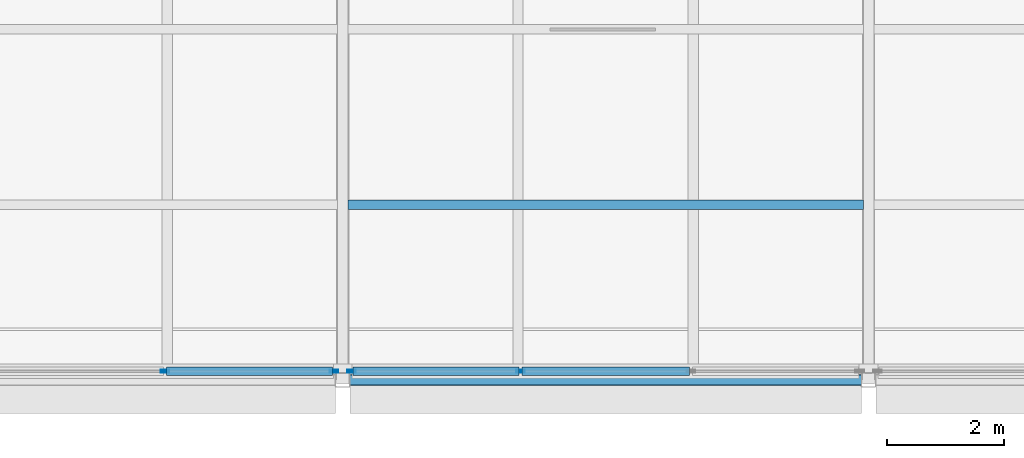
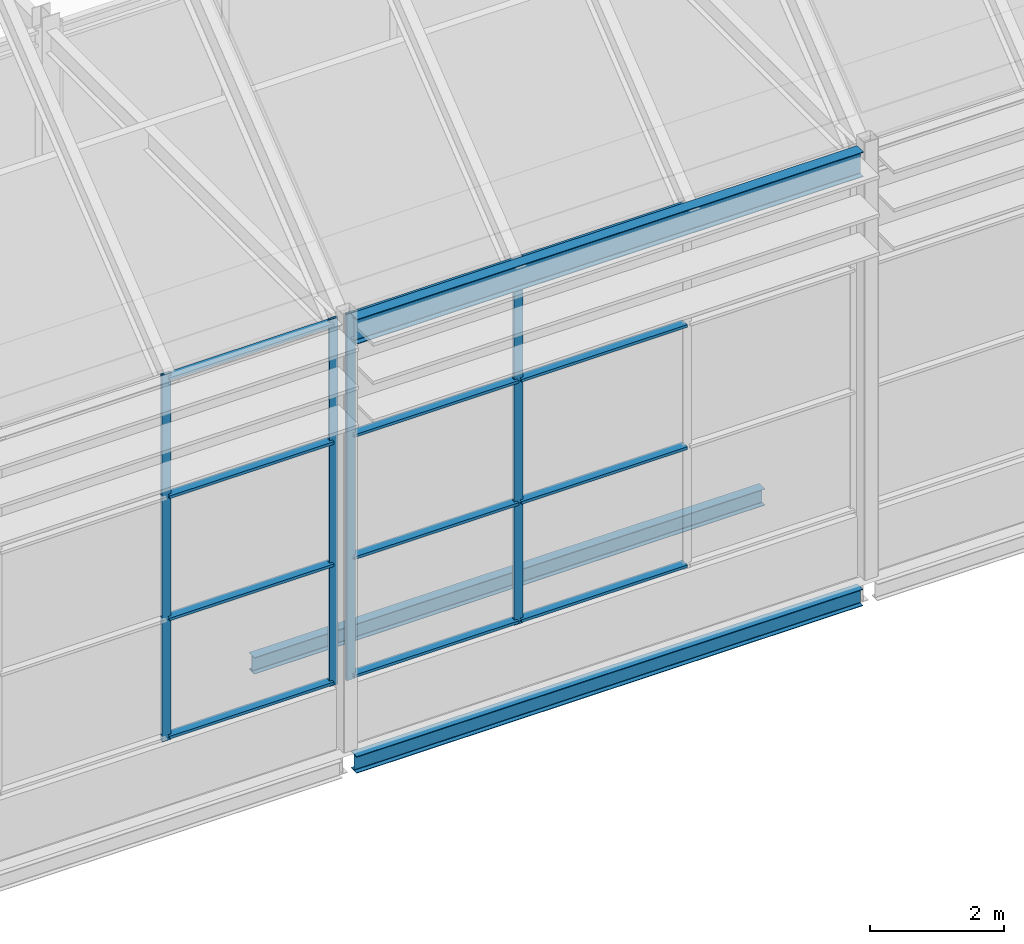
# One storey, part 27 of 144: 16 members, 3 beams, 2 elements without a shape of their own.
"""IFC4 building model written with IfcOpenShell, lengths in metres."""

import ifcopenshell
import ifcopenshell.guid

model = None  # the IFC model being written
_history = None  # IfcOwnerHistory: only IFC2X3 demands one
_inside = {}  # id of a spatial element -> (the spatial element, [elements in it])
_under = {}  # id of a project, library or spatial element -> (it, [spatial elements below it])
_declared = {}  # id of a project -> (the project, [libraries it declares])
_typed = {}  # id of a type object -> (the type object, [elements of that type])
_made_of = {}  # id of a material, layer set ... -> (it, [elements and type objects made of it])


def new_model(schema):
    """Start an empty IFC model of exactly this schema.

    Asked for "IFC4X3", IfcOpenShell would pick the latest addendum, in which some entities
    have other attributes; the version numbers below select the first issue.
    IFC2X3 requires an IfcOwnerHistory on every rooted entity: one is made here for all.
    """
    global model, _history
    if schema == "IFC4X3":
        model = ifcopenshell.file(schema_version=(4, 3, 0, 0))
    else:
        model = ifcopenshell.file(schema=schema)
    _inside.clear()
    _under.clear()
    _declared.clear()
    _typed.clear()
    _made_of.clear()
    _history = None
    if model.schema == "IFC2X3":
        org = make("IfcOrganization", Name="unknown")
        user = make(
            "IfcPersonAndOrganization",
            ThePerson=make("IfcPerson", FamilyName="unknown"),
            TheOrganization=org,
        )
        app = make(
            "IfcApplication",
            ApplicationDeveloper=org,
            Version="unknown",
            ApplicationFullName="unknown",
            ApplicationIdentifier="unknown",
        )
        _history = make(
            "IfcOwnerHistory",
            OwningUser=user,
            OwningApplication=app,
            ChangeAction="ADDED",
            CreationDate=0,
        )
    return model


def make(cls, **values):
    """One entity of the class cls with the attributes given. An attribute that is None is left unset."""
    return model.create_entity(
        cls, **{name: value for name, value in values.items() if value is not None}
    )


def rooted(cls, **values):
    """An entity with a GlobalId (a new one), such as an element, a storey or a relation."""
    return make(cls, GlobalId=ifcopenshell.guid.new(), OwnerHistory=_history, **values)


def si_unit(unit_type, name, prefix=None):
    """IfcSIUnit, for example si_unit("LENGTHUNIT", "METRE", prefix="MILLI")."""
    return make("IfcSIUnit", UnitType=unit_type, Prefix=prefix, Name=name)


def assignment(units):
    """IfcUnitAssignment: the units of a project."""
    return None if units is None else make("IfcUnitAssignment", Units=units)


def point(xyz):
    """IfcCartesianPoint."""
    return None if xyz is None else make("IfcCartesianPoint", Coordinates=xyz)


def direction(xyz):
    """IfcDirection."""
    return None if xyz is None else make("IfcDirection", DirectionRatios=xyz)


def frame(location, z_axis=None, x_axis=None):
    """IfcAxis2Placement3D, a coordinate frame: its origin and axes. An axis left out is left unset."""
    return make(
        "IfcAxis2Placement3D",
        Location=point(location),
        Axis=direction(z_axis),
        RefDirection=direction(x_axis),
    )


def frame_2d(location, x_axis=None):
    """IfcAxis2Placement2D, a coordinate frame in the plane: its origin and x axis."""
    return make(
        "IfcAxis2Placement2D", Location=point(location), RefDirection=direction(x_axis)
    )


def origin():
    """The frame at (0, 0, 0) with its axes left unset."""
    return frame((0.0, 0.0, 0.0))


def origin_2d():
    """The frame at (0, 0) in the plane with its x axis left unset."""
    return frame_2d((0.0, 0.0))


def place(relative_to, where):
    """IfcLocalPlacement: puts the frame where relative to a parent placement (None: the world)."""
    return make(
        "IfcLocalPlacement", PlacementRelTo=relative_to, RelativePlacement=where
    )


def context(
    kind, dimensions, precision=None, world=None, true_north=None, identifier=None
):
    """IfcGeometricRepresentationContext, for example the 3D "Model" context."""
    return make(
        "IfcGeometricRepresentationContext",
        ContextIdentifier=identifier,
        ContextType=kind,
        CoordinateSpaceDimension=dimensions,
        Precision=precision,
        WorldCoordinateSystem=world,
        TrueNorth=true_north,
    )


def subcontext(parent, identifier, kind, view, scale=None):
    """IfcGeometricRepresentationSubContext, for example "Body" below "Model"."""
    return make(
        "IfcGeometricRepresentationSubContext",
        ContextIdentifier=identifier,
        ContextType=kind,
        ParentContext=parent,
        TargetScale=scale,
        TargetView=view,
    )


def project(units=None, contexts=None):
    """IfcProject with its units and contexts."""
    return rooted(
        "IfcProject",
        Name="project",
        RepresentationContexts=contexts,
        UnitsInContext=assignment(units),
    )


def spatial(cls, under=None, at=None, **own):
    """A site, building, storey or space (cls), placed at a placement, below another one or the project."""
    s = rooted(cls, ObjectPlacement=at, **own)
    if under is not None:
        _under.setdefault(under.id(), (under, []))[1].append(s)
    return s


def profile(cls, at=None, kind="AREA", **sizes):
    """A parametric profile (cls). Its sizes go by their IFC names, for example OverallWidth=200.0."""
    return make(cls, ProfileType=kind, Position=at, **sizes)


def hollow_rectangle(**sizes):
    """IfcRectangleHollowProfileDef."""
    return profile("IfcRectangleHollowProfileDef", **sizes)


def i_section(**sizes):
    """IfcIShapeProfileDef."""
    return profile("IfcIShapeProfileDef", **sizes)


def extrude(swept, where, along, depth):
    """IfcExtrudedAreaSolid: the profile swept, set in the frame where, extruded along a direction by depth."""
    return make(
        "IfcExtrudedAreaSolid",
        SweptArea=swept,
        Position=where,
        ExtrudedDirection=direction(along),
        Depth=depth,
    )


def shape(context_of_items, identifier, shape_type, items):
    """IfcShapeRepresentation: the items that make up one representation, for example the "Body"."""
    return make(
        "IfcShapeRepresentation",
        ContextOfItems=context_of_items,
        RepresentationIdentifier=identifier,
        RepresentationType=shape_type,
        Items=items,
    )


def material(Name=None, Category=None):
    """IfcMaterial."""
    return make("IfcMaterial", Name=Name, Category=Category)


def layer(
    of_material, thickness, ventilated=None, Name=None, Category=None, Priority=None
):
    """IfcMaterialLayer: one layer of a wall or slab, of a material (None: an air gap)."""
    return make(
        "IfcMaterialLayer",
        Material=of_material,
        LayerThickness=thickness,
        IsVentilated=ventilated,
        Name=Name,
        Category=Category,
        Priority=Priority,
    )


def layer_set(layers, Name=None):
    """IfcMaterialLayerSet."""
    return make("IfcMaterialLayerSet", MaterialLayers=layers, LayerSetName=Name)


def material_profile(
    of_material, cross_section, Name=None, Category=None, Priority=None
):
    """IfcMaterialProfile: a cross section and its material."""
    return make(
        "IfcMaterialProfile",
        Name=Name,
        Material=of_material,
        Profile=cross_section,
        Priority=Priority,
        Category=Category,
    )


def profile_set(profiles, Name=None, composite=None):
    """IfcMaterialProfileSet."""
    return make(
        "IfcMaterialProfileSet",
        Name=Name,
        MaterialProfiles=profiles,
        CompositeProfile=composite,
    )


def made_of(thing, what):
    """Note that an element or type object is made of a material, layer set ...; save() writes the relation."""
    if what is not None:
        _made_of.setdefault(what.id(), (what, []))[1].append(thing)
    return thing


def type_object(cls, material=None, **own):
    """A type object (cls), such as IfcWallType, which elements share."""
    return made_of(rooted(cls, **own), material)


def element(
    cls,
    number,
    at=None,
    inside=None,
    cuts=None,
    type_object=None,
    material=None,
    context=None,
    identifier="Body",
    shape_type=None,
    held_by="IfcProductDefinitionShape",
    body=None,
    shapes=None,
    **own,
):
    """One element of the class cls, such as IfcWall. Its Tag is "e" and its number.

    at: its placement. inside: the storey or other place that contains it. cuts: it is an
    opening in that element (IfcRelVoidsElement). A single representation is given by context,
    identifier, shape_type and body (its items); several are given by shapes. held_by: the class
    of the entity that holds the representations. save() writes the other relations.
    """
    e = rooted(cls, Tag="e%d" % number, ObjectPlacement=at, **own)
    if body is not None:
        shapes = [shape(context, identifier, shape_type, body)]
    if shapes is not None:
        e.Representation = make(held_by, Representations=shapes)
    if inside is not None:
        _inside.setdefault(inside.id(), (inside, []))[1].append(e)
    if cuts is not None:
        rooted(
            "IfcRelVoidsElement", RelatingBuildingElement=cuts, RelatedOpeningElement=e
        )
    if type_object is not None:
        _typed.setdefault(type_object.id(), (type_object, []))[1].append(e)
    return made_of(e, material)


def aggregate(whole, parts):
    """IfcRelAggregates: a whole, such as a stair, and the parts it consists of."""
    return rooted("IfcRelAggregates", RelatingObject=whole, RelatedObjects=parts)


def save(model, path):
    """Write the relations noted so far, then the file.

    IfcRelAggregates (storeys below a building ...), IfcRelContainedInSpatialStructure (elements
    in a storey), IfcRelDefinesByType, IfcRelAssociatesMaterial and IfcRelDeclares: one each for
    every whole, place, type object, material and project.
    """
    for whole, parts in _under.values():
        aggregate(whole, parts)
    for where, things in _inside.values():
        rooted(
            "IfcRelContainedInSpatialStructure",
            RelatedElements=things,
            RelatingStructure=where,
        )
    for kind, things in _typed.values():
        rooted("IfcRelDefinesByType", RelatedObjects=things, RelatingType=kind)
    for what, things in _made_of.values():
        rooted("IfcRelAssociatesMaterial", RelatedObjects=things, RelatingMaterial=what)
    for by, libraries in _declared.values():
        rooted("IfcRelDeclares", RelatingContext=by, RelatedDefinitions=libraries)
    model.write(path)


model = new_model("IFC4")

# Units and contexts
model_context = context("Model", 3, precision=1e-05, world=origin(), true_north=direction((0.0, 1.0)))
body_context = subcontext(model_context, "Body", "Model", "MODEL_VIEW")
ifc_project = project(units=[si_unit("LENGTHUNIT", "METRE"), si_unit("AREAUNIT", "SQUARE_METRE"), si_unit("VOLUMEUNIT", "CUBIC_METRE"), si_unit("PLANEANGLEUNIT", "RADIAN"), si_unit("MASSUNIT", "GRAM", prefix="KILO")], contexts=[model_context])

# Site, building, storey
site_placement = place(None, origin())
site = spatial("IfcSite", under=ifc_project, at=site_placement, CompositionType="ELEMENT")
building_placement = place(site_placement, origin())
building = spatial("IfcBuilding", under=site, at=building_placement, Name="Shorebreak Coast Museum", CompositionType="ELEMENT")
storey_placement = place(building_placement, frame((0.0, 0.0, 36.0)))
storey = spatial("IfcBuildingStorey", under=building, at=storey_placement, Name="L06", CompositionType="ELEMENT", Elevation=36.0)

# Beams
ifc_material_1 = material(Name="Steel Grade 300", Category="steel")
ifc_material_profile_1 = material_profile(ifc_material_1, i_section(OverallWidth=0.166015625, OverallDepth=0.30712890625, WebThickness=0.006591796875, FlangeThickness=0.01171875, FilletRadius=0.011474609375, at=origin_2d()), Name="310UB46.2")
ifc_profile_set_1 = profile_set([ifc_material_profile_1], Name="Steel Grade 300")
beam_type_1 = type_object("IfcBeamType", Name="Floor girder east-west 310UB46.2", PredefinedType="BEAM", material=ifc_profile_set_1)
beam_1_placement = place(storey_placement, frame((81.125, 54.0, -0.32861328125), z_axis=(1.0, 0.0, 0.0), x_axis=(0.0, 1.0, 0.0)))
element("IfcBeam", 1, at=beam_1_placement, inside=storey, type_object=beam_type_1, Name="Floor girder east-west L06 10G", PredefinedType="BEAM", context=body_context, shape_type="SweptSolid", body=[
    extrude(i_section(OverallWidth=0.166015625, OverallDepth=0.30712890625, WebThickness=0.006591796875, FlangeThickness=0.01171875, FilletRadius=0.011474609375, at=origin_2d()), origin(), (0.0, 0.0, 1.0), 8.75),
])
ifc_material_2 = material(Name="Steel Grade 300", Category="steel")
ifc_material_profile_2 = material_profile(ifc_material_2, i_section(OverallWidth=0.1650390625, OverallDepth=0.303955078125, WebThickness=0.006103515625, FlangeThickness=0.01025390625, FilletRadius=0.011474609375, at=origin_2d()), Name="310UB40.4")
ifc_profile_set_2 = profile_set([ifc_material_profile_2], Name="Steel Grade 300")
beam_type_2 = type_object("IfcBeamType", Name="Floor joist 310UB40.4", PredefinedType="JOIST", material=ifc_profile_set_2)
beam_2_placement = place(storey_placement, frame((81.089111328125, 57.0, -0.326904296875), z_axis=(1.0, 0.0, 0.0), x_axis=(0.0, 1.0, 0.0)))
element("IfcBeam", 2, at=beam_2_placement, inside=storey, type_object=beam_type_2, Name="Floor joist L06 bay 10G at 3000 mm", PredefinedType="JOIST", context=body_context, shape_type="SweptSolid", body=[
    extrude(i_section(OverallWidth=0.1650390625, OverallDepth=0.303955078125, WebThickness=0.006103515625, FlangeThickness=0.01025390625, FilletRadius=0.011474609375, at=origin_2d()), origin(), (0.0, 0.0, 1.0), 8.82177734375),
])
ifc_material_3 = material(Name="Steel Grade 300", Category="steel")
ifc_material_profile_3 = material_profile(ifc_material_3, i_section(OverallWidth=0.18994140625, OverallDepth=0.453857421875, WebThickness=0.008544921875, FlangeThickness=0.0126953125, FilletRadius=0.011474609375, at=origin_2d()), Name="460UB67.1")
ifc_profile_set_3 = profile_set([ifc_material_profile_3], Name="Steel Grade 300")
beam_type_3 = type_object("IfcBeamType", Name="Fold valley girder 460UB67.1", PredefinedType="BEAM", material=ifc_profile_set_3)
beam_3_placement = place(storey_placement, frame((81.125, 54.0, 7.593017578125), z_axis=(1.0, 0.0, 0.0), x_axis=(0.0, 1.0, 0.0)))
element("IfcBeam", 3, at=beam_3_placement, inside=storey, type_object=beam_type_3, Name="Fold valley girder FOLD-X line G bay 10G", PredefinedType="BEAM", context=body_context, shape_type="SweptSolid", body=[
    extrude(i_section(OverallWidth=0.18994140625, OverallDepth=0.453857421875, WebThickness=0.008544921875, FlangeThickness=0.0126953125, FilletRadius=0.011474609375, at=origin_2d()), origin(), (0.0, 0.0, 1.0), 8.75),
])

# Curtain wall, members
ifc_material_4 = material(Name="Aluminium", Category="aluminium")
ifc_layer = layer(ifc_material_4, 0.14990234375)
ifc_layer_set = layer_set([ifc_layer], Name="Aluminium")
curtain_wall_type = type_object("IfcCurtainWallType", Name="Storefront curtain wall", PredefinedType="NOTDEFINED", material=ifc_layer_set)
curtain_wall_1_placement = place(storey_placement, origin())
curtain_wall_1 = element("IfcCurtainWall", 4, at=curtain_wall_1_placement, inside=storey, type_object=curtain_wall_type, Name="Atrium Hall glazing L06 S 23", PredefinedType="NOTDEFINED")
ifc_material_5 = material(Name="Aluminium", Category="aluminium")
ifc_material_profile_4 = material_profile(ifc_material_5, hollow_rectangle(XDim=0.050048828125, YDim=0.14990234375, WallThickness=0.00390625, at=origin_2d()), Name="AL 150x50 RHS")
ifc_profile_set_4 = profile_set([ifc_material_profile_4], Name="Aluminium")
member_type_1 = type_object("IfcMemberType", Name="Storefront mullion 50 x 150", PredefinedType="MULLION", material=ifc_profile_set_4)
member_1_placement = place(storey_placement, frame((77.958251953125, 54.14990234375, 1.10009765625), z_axis=(0.0, 0.0, 1.0), x_axis=(0.0, 1.0, 0.0)))
member_1 = element("IfcMember", 5, at=member_1_placement, type_object=member_type_1, Name="CW5 mullion 3", PredefinedType="MULLION", context=body_context, shape_type="SweptSolid", body=[
    extrude(hollow_rectangle(XDim=0.050048828125, YDim=0.14990234375, WallThickness=0.00390625, at=origin_2d()), origin(), (0.0, 0.0, 1.0), 6.699951171875),
])
member_2_placement = place(storey_placement, frame((80.85009765625, 54.14990234375, 1.10009765625), z_axis=(0.0, 0.0, 1.0), x_axis=(0.0, 1.0, 0.0)))
member_2 = element("IfcMember", 6, at=member_2_placement, type_object=member_type_1, Name="CW5 mullion 4", PredefinedType="MULLION", context=body_context, shape_type="SweptSolid", body=[
    extrude(hollow_rectangle(XDim=0.050048828125, YDim=0.14990234375, WallThickness=0.00390625, at=origin_2d()), origin(), (0.0, 0.0, 1.0), 6.699951171875),
])

curtain_wall_2_placement = place(storey_placement, origin())
curtain_wall_2 = element("IfcCurtainWall", 7, at=curtain_wall_2_placement, inside=storey, type_object=curtain_wall_type, Name="Atrium Hall glazing L06 S 24", PredefinedType="NOTDEFINED")
member_3_placement = place(storey_placement, frame((81.14990234375, 54.14990234375, 1.10009765625), z_axis=(0.0, 0.0, 1.0), x_axis=(0.0, 1.0, 0.0)))
member_3 = element("IfcMember", 8, at=member_3_placement, type_object=member_type_1, Name="CW5 mullion 1", PredefinedType="MULLION", context=body_context, shape_type="SweptSolid", body=[
    extrude(hollow_rectangle(XDim=0.050048828125, YDim=0.14990234375, WallThickness=0.00390625, at=origin_2d()), origin(), (0.0, 0.0, 1.0), 6.699951171875),
])
member_4_placement = place(storey_placement, frame((84.041748046875, 54.14990234375, 1.10009765625), z_axis=(0.0, 0.0, 1.0), x_axis=(0.0, 1.0, 0.0)))
member_4 = element("IfcMember", 9, at=member_4_placement, type_object=member_type_1, Name="CW5 mullion 2", PredefinedType="MULLION", context=body_context, shape_type="SweptSolid", body=[
    extrude(hollow_rectangle(XDim=0.050048828125, YDim=0.14990234375, WallThickness=0.00390625, at=origin_2d()), origin(), (0.0, 0.0, 1.0), 6.699951171875),
])

# Member
ifc_material_6 = material(Name="Aluminium", Category="aluminium")
ifc_material_profile_5 = material_profile(ifc_material_6, hollow_rectangle(XDim=0.14990234375, YDim=0.050048828125, WallThickness=0.00390625, at=origin_2d()), Name="AL 50x150 RHS")
ifc_profile_set_5 = profile_set([ifc_material_profile_5], Name="Aluminium")
member_type_2 = type_object("IfcMemberType", Name="Storefront transom 150 x 50", PredefinedType="USERDEFINED", material=ifc_profile_set_5)
member_5_placement = place(storey_placement, frame((77.9833984375, 54.14990234375, 1.175048828125), z_axis=(1.0, 0.0, 0.0), x_axis=(0.0, 1.0, 0.0)))
member_5 = element("IfcMember", 10, at=member_5_placement, type_object=member_type_2, Name="CW5 transom 3.1", ObjectType="TRANSOM", PredefinedType="USERDEFINED", context=body_context, shape_type="SweptSolid", body=[
    extrude(hollow_rectangle(XDim=0.14990234375, YDim=0.050048828125, WallThickness=0.00390625, at=origin_2d()), origin(), (0.0, 0.0, 1.0), 2.841552734375),
])

member_6_placement = place(storey_placement, frame((77.9833984375, 54.14990234375, 3.333251953125), z_axis=(1.0, 0.0, 0.0), x_axis=(0.0, 1.0, 0.0)))
member_6 = element("IfcMember", 11, at=member_6_placement, type_object=member_type_2, Name="CW5 transom 3.2", ObjectType="TRANSOM", PredefinedType="USERDEFINED", context=body_context, shape_type="SweptSolid", body=[
    extrude(hollow_rectangle(XDim=0.14990234375, YDim=0.050048828125, WallThickness=0.00390625, at=origin_2d()), origin(), (0.0, 0.0, 1.0), 2.841552734375),
])

member_7_placement = place(storey_placement, frame((77.9833984375, 54.14990234375, 5.566650390625), z_axis=(1.0, 0.0, 0.0), x_axis=(0.0, 1.0, 0.0)))
member_7 = element("IfcMember", 12, at=member_7_placement, type_object=member_type_2, Name="CW5 transom 3.3", ObjectType="TRANSOM", PredefinedType="USERDEFINED", context=body_context, shape_type="SweptSolid", body=[
    extrude(hollow_rectangle(XDim=0.14990234375, YDim=0.050048828125, WallThickness=0.00390625, at=origin_2d()), origin(), (0.0, 0.0, 1.0), 2.841552734375),
])

member_8_placement = place(storey_placement, frame((77.9833984375, 54.14990234375, 7.72509765625), z_axis=(1.0, 0.0, 0.0), x_axis=(0.0, 1.0, 0.0)))
member_8 = element("IfcMember", 13, at=member_8_placement, type_object=member_type_2, Name="CW5 transom 3.4", ObjectType="TRANSOM", PredefinedType="USERDEFINED", context=body_context, shape_type="SweptSolid", body=[
    extrude(hollow_rectangle(XDim=0.14990234375, YDim=0.050048828125, WallThickness=0.00390625, at=origin_2d()), origin(), (0.0, 0.0, 1.0), 2.841552734375),
])

aggregate(curtain_wall_1, [member_1, member_2, member_5, member_6, member_7, member_8])

member_9_placement = place(storey_placement, frame((81.175048828125, 54.14990234375, 1.175048828125), z_axis=(1.0, 0.0, 0.0), x_axis=(0.0, 1.0, 0.0)))
member_9 = element("IfcMember", 14, at=member_9_placement, type_object=member_type_2, Name="CW5 transom 1.1", ObjectType="TRANSOM", PredefinedType="USERDEFINED", context=body_context, shape_type="SweptSolid", body=[
    extrude(hollow_rectangle(XDim=0.14990234375, YDim=0.050048828125, WallThickness=0.00390625, at=origin_2d()), origin(), (0.0, 0.0, 1.0), 2.841552734375),
])

member_10_placement = place(storey_placement, frame((81.175048828125, 54.14990234375, 3.333251953125), z_axis=(1.0, 0.0, 0.0), x_axis=(0.0, 1.0, 0.0)))
member_10 = element("IfcMember", 15, at=member_10_placement, type_object=member_type_2, Name="CW5 transom 1.2", ObjectType="TRANSOM", PredefinedType="USERDEFINED", context=body_context, shape_type="SweptSolid", body=[
    extrude(hollow_rectangle(XDim=0.14990234375, YDim=0.050048828125, WallThickness=0.00390625, at=origin_2d()), origin(), (0.0, 0.0, 1.0), 2.841552734375),
])

member_11_placement = place(storey_placement, frame((81.175048828125, 54.14990234375, 5.566650390625), z_axis=(1.0, 0.0, 0.0), x_axis=(0.0, 1.0, 0.0)))
member_11 = element("IfcMember", 16, at=member_11_placement, type_object=member_type_2, Name="CW5 transom 1.3", ObjectType="TRANSOM", PredefinedType="USERDEFINED", context=body_context, shape_type="SweptSolid", body=[
    extrude(hollow_rectangle(XDim=0.14990234375, YDim=0.050048828125, WallThickness=0.00390625, at=origin_2d()), origin(), (0.0, 0.0, 1.0), 2.841552734375),
])

member_12_placement = place(storey_placement, frame((81.175048828125, 54.14990234375, 7.72509765625), z_axis=(1.0, 0.0, 0.0), x_axis=(0.0, 1.0, 0.0)))
member_12 = element("IfcMember", 17, at=member_12_placement, type_object=member_type_2, Name="CW5 transom 1.4", ObjectType="TRANSOM", PredefinedType="USERDEFINED", context=body_context, shape_type="SweptSolid", body=[
    extrude(hollow_rectangle(XDim=0.14990234375, YDim=0.050048828125, WallThickness=0.00390625, at=origin_2d()), origin(), (0.0, 0.0, 1.0), 2.841552734375),
])

member_13_placement = place(storey_placement, frame((84.066650390625, 54.14990234375, 1.175048828125), z_axis=(1.0, 0.0, 0.0), x_axis=(0.0, 1.0, 0.0)))
member_13 = element("IfcMember", 18, at=member_13_placement, type_object=member_type_2, Name="CW5 transom 2.1", ObjectType="TRANSOM", PredefinedType="USERDEFINED", context=body_context, shape_type="SweptSolid", body=[
    extrude(hollow_rectangle(XDim=0.14990234375, YDim=0.050048828125, WallThickness=0.00390625, at=origin_2d()), origin(), (0.0, 0.0, 1.0), 2.86669921875),
])

member_14_placement = place(storey_placement, frame((84.066650390625, 54.14990234375, 3.333251953125), z_axis=(1.0, 0.0, 0.0), x_axis=(0.0, 1.0, 0.0)))
member_14 = element("IfcMember", 19, at=member_14_placement, type_object=member_type_2, Name="CW5 transom 2.2", ObjectType="TRANSOM", PredefinedType="USERDEFINED", context=body_context, shape_type="SweptSolid", body=[
    extrude(hollow_rectangle(XDim=0.14990234375, YDim=0.050048828125, WallThickness=0.00390625, at=origin_2d()), origin(), (0.0, 0.0, 1.0), 2.86669921875),
])

member_15_placement = place(storey_placement, frame((84.066650390625, 54.14990234375, 5.566650390625), z_axis=(1.0, 0.0, 0.0), x_axis=(0.0, 1.0, 0.0)))
member_15 = element("IfcMember", 20, at=member_15_placement, type_object=member_type_2, Name="CW5 transom 2.3", ObjectType="TRANSOM", PredefinedType="USERDEFINED", context=body_context, shape_type="SweptSolid", body=[
    extrude(hollow_rectangle(XDim=0.14990234375, YDim=0.050048828125, WallThickness=0.00390625, at=origin_2d()), origin(), (0.0, 0.0, 1.0), 2.86669921875),
])

member_16_placement = place(storey_placement, frame((84.066650390625, 54.14990234375, 7.72509765625), z_axis=(1.0, 0.0, 0.0), x_axis=(0.0, 1.0, 0.0)))
member_16 = element("IfcMember", 21, at=member_16_placement, type_object=member_type_2, Name="CW5 transom 2.4", ObjectType="TRANSOM", PredefinedType="USERDEFINED", context=body_context, shape_type="SweptSolid", body=[
    extrude(hollow_rectangle(XDim=0.14990234375, YDim=0.050048828125, WallThickness=0.00390625, at=origin_2d()), origin(), (0.0, 0.0, 1.0), 2.86669921875),
])

aggregate(curtain_wall_2, [member_3, member_4, member_9, member_10, member_11, member_12, member_13, member_14, member_15, member_16])

save(model, "model.ifc")
